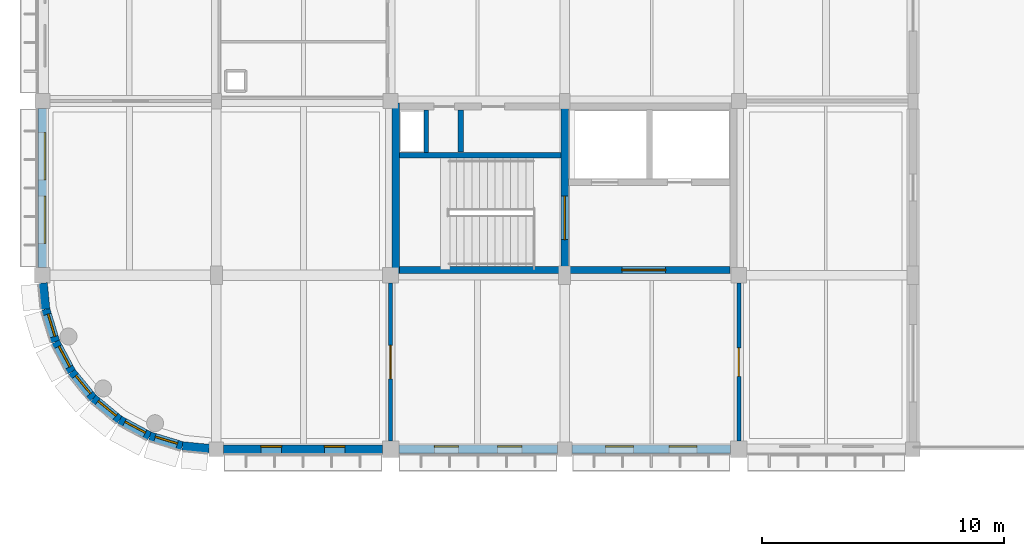
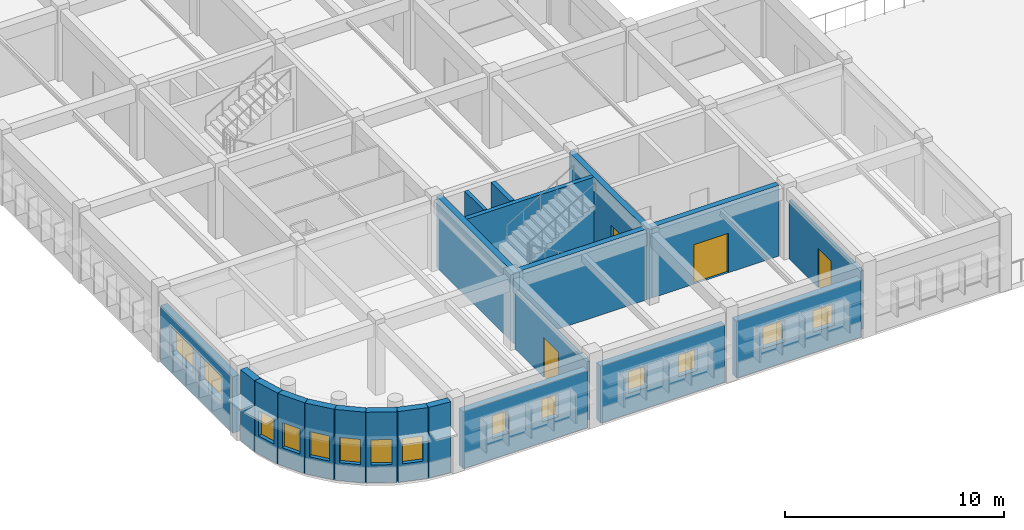
# One storey, part 80 of 103: 21 walls, 14 windows, 4 doors, 18 openings.
"""IFC4 building model written with IfcOpenShell, lengths in metres."""

from ifc_helpers import new_model, si_unit, direction, frame, frame_2d, origin, place, context, subcontext, project, spatial, rectangle, extrude, material, layer, layer_set, type_object, element, fill, save


model = new_model("IFC4")

# Units and contexts
model_context = context("Model", 3, precision=1e-05, world=origin(), true_north=direction((0.0, 1.0)))
body_context = subcontext(model_context, "Body", "Model", "MODEL_VIEW")
ifc_project = project(units=[si_unit("LENGTHUNIT", "METRE"), si_unit("AREAUNIT", "SQUARE_METRE"), si_unit("VOLUMEUNIT", "CUBIC_METRE"), si_unit("PLANEANGLEUNIT", "RADIAN"), si_unit("MASSUNIT", "GRAM", prefix="KILO")], contexts=[model_context])

# Site, building, storey
site_placement = place(None, origin())
site = spatial("IfcSite", under=ifc_project, at=site_placement, CompositionType="ELEMENT")
building_placement = place(site_placement, origin())
building = spatial("IfcBuilding", under=site, at=building_placement, Name="Thalmaran Polytechnic", CompositionType="ELEMENT")
storey_placement = place(building_placement, frame((0.0, 0.0, 14.39990234375)))
storey = spatial("IfcBuildingStorey", under=building, at=storey_placement, Name="L03", CompositionType="ELEMENT", Elevation=14.39990234375)

# Wall
ifc_material_1 = material(Name="Precast concrete C40/50", Category="concrete")
ifc_layer_1 = layer(ifc_material_1, 0.360107421875, Name="Precast concrete C40/50")
ifc_layer_set_1 = layer_set([ifc_layer_1], Name="Precast concrete C40/50")
wall_type_1 = type_object("IfcWallType", Name="WL-EW01", PredefinedType="STANDARD", material=ifc_layer_set_1)
wall_1_placement = place(storey_placement, frame((0.138427734375, 5.79541015625, 0.0), z_axis=(0.0, 0.0, 1.0), x_axis=(-0.098213027533, 0.995165414, 0.0)))
element("IfcWall", 1, at=wall_1_placement, inside=storey, type_object=wall_type_1, Name="Exterior Precast Facade Wall L03-029", PredefinedType="STANDARD", context=body_context, shape_type="SweptSolid", body=[
    extrude(rectangle(XDim=1.08642578125, YDim=0.360107421875, at=frame_2d((0.543212890625, 0.0))), origin(), (0.0, 0.0, 1.0), 3.940185546875),
])

# Wall, openings, windows
wall_2_placement = place(storey_placement, frame((0.0, 7.52490234375, 0.0), z_axis=(0.0, 0.0, 1.0), x_axis=(0.0, 1.0, 0.0)))
wall_2 = element("IfcWall", 2, at=wall_2_placement, inside=storey, type_object=wall_type_1, Name="Exterior Precast Facade Wall L03-030", PredefinedType="STANDARD", context=body_context, shape_type="SweptSolid", body=[
    extrude(rectangle(XDim=6.565185546875, YDim=0.360107421875, at=frame_2d((3.28271484375, 0.0))), origin(), (0.0, 0.0, 1.0), 3.135009765625),
])
opening_1_placement = place(wall_2_placement, frame((0.994384765625, 0.0, 1.14990234375)))
opening_1 = element("IfcOpeningElement", 3, at=opening_1_placement, cuts=wall_2, Name="Opening VW07", PredefinedType="OPENING", context=body_context, shape_type="SweptSolid", body=[
    extrude(rectangle(XDim=1.949951171875, YDim=1.39990234375, at=frame_2d((0.97509765625, 0.699951171875))), frame((0.0, 0.18994140625, 0.0), z_axis=(0.0, -1.0, 0.0), x_axis=(1.0, 0.0, 0.0)), (0.0, 0.0, 1.0), 0.380126953125),
])
opening_2_placement = place(wall_2_placement, frame((3.62060546875, 0.0, 1.14990234375)))
opening_2 = element("IfcOpeningElement", 4, at=opening_2_placement, cuts=wall_2, Name="Opening VW07", PredefinedType="OPENING", context=body_context, shape_type="SweptSolid", body=[
    extrude(rectangle(XDim=1.949951171875, YDim=1.39990234375, at=frame_2d((0.97509765625, 0.699951171875))), frame((0.0, 0.18994140625, 0.0), z_axis=(0.0, -1.0, 0.0), x_axis=(1.0, 0.0, 0.0)), (0.0, 0.0, 1.0), 0.380126953125),
])
ifc_material_2 = material(Name="Thermally broken aluminium and double low-E glass", Category="aluminium")
window_type_1 = type_object("IfcWindowType", Name="WN-VZ07", PartitioningType="SINGLE_PANEL", PredefinedType="WINDOW", material=ifc_material_2)
window_1_placement = place(opening_1_placement, origin())
window_1 = element("IfcWindow", 5, at=window_1_placement, inside=storey, type_object=window_type_1, Name="Deep-Set Solar-Screened Window W-0420", OverallHeight=1.39990234375, OverallWidth=1.949951171875, PartitioningType="SINGLE_PANEL", PredefinedType="WINDOW", context=body_context, shape_type="SweptSolid", body=[
    extrude(rectangle(XDim=1.949951171875, YDim=1.39990234375, at=frame_2d((0.97509765625, 0.699951171875))), frame((0.0, -0.080078125, 0.0), z_axis=(0.0, -1.0, 0.0), x_axis=(1.0, 0.0, 0.0)), (0.0, 0.0, 1.0), 0.06005859375),
])
fill(opening_1, window_1)
window_2_placement = place(opening_2_placement, origin())
window_2 = element("IfcWindow", 6, at=window_2_placement, inside=storey, type_object=window_type_1, Name="Deep-Set Solar-Screened Window W-0421", OverallHeight=1.39990234375, OverallWidth=1.949951171875, PartitioningType="SINGLE_PANEL", PredefinedType="WINDOW", context=body_context, shape_type="SweptSolid", body=[
    extrude(rectangle(XDim=1.949951171875, YDim=1.39990234375, at=frame_2d((0.97509765625, 0.699951171875))), frame((0.0, -0.080078125, 0.0), z_axis=(0.0, -1.0, 0.0), x_axis=(1.0, 0.0, 0.0)), (0.0, 0.0, 1.0), 0.06005859375),
])
fill(opening_2, window_2)

wall_3_placement = place(storey_placement, frame((28.4599609375, 0.0, 0.0), z_axis=(0.0, 0.0, 1.0), x_axis=(-1.0, 0.0, 0.0)))
wall_3 = element("IfcWall", 7, at=wall_3_placement, inside=storey, type_object=wall_type_1, Name="Exterior Precast Facade Wall L03-105", PredefinedType="STANDARD", context=body_context, shape_type="SweptSolid", body=[
    extrude(rectangle(XDim=6.56005859375, YDim=0.360107421875, at=frame_2d((3.280029296875, 0.0))), origin(), (0.0, 0.0, 1.0), 3.18505859375),
])
opening_3_placement = place(wall_3_placement, frame((1.39306640625, 0.0, 1.14990234375)))
opening_3 = element("IfcOpeningElement", 8, at=opening_3_placement, cuts=wall_3, Name="Opening VW12", PredefinedType="OPENING", context=body_context, shape_type="SweptSolid", body=[
    extrude(rectangle(XDim=1.14990234375, YDim=1.199951171875, at=frame_2d((0.574951171875, 0.60009765625))), frame((0.0, 0.18994140625, 0.0), z_axis=(0.0, -1.0, 0.0), x_axis=(1.0, 0.0, 0.0)), (0.0, 0.0, 1.0), 0.380126953125),
])
opening_4_placement = place(wall_3_placement, frame((4.01708984375, 0.0, 1.14990234375)))
opening_4 = element("IfcOpeningElement", 9, at=opening_4_placement, cuts=wall_3, Name="Opening VW12", PredefinedType="OPENING", context=body_context, shape_type="SweptSolid", body=[
    extrude(rectangle(XDim=1.14990234375, YDim=1.199951171875, at=frame_2d((0.574951171875, 0.60009765625))), frame((0.0, 0.18994140625, 0.0), z_axis=(0.0, -1.0, 0.0), x_axis=(1.0, 0.0, 0.0)), (0.0, 0.0, 1.0), 0.380126953125),
])
window_type_2 = type_object("IfcWindowType", Name="WN-VZ12", PartitioningType="SINGLE_PANEL", PredefinedType="WINDOW", material=ifc_material_2)
window_3_placement = place(opening_3_placement, origin())
window_3 = element("IfcWindow", 10, at=window_3_placement, inside=storey, type_object=window_type_2, Name="Deep-Set Solar-Screened Window W-0519", OverallHeight=1.199951171875, OverallWidth=1.14990234375, PartitioningType="SINGLE_PANEL", PredefinedType="WINDOW", context=body_context, shape_type="SweptSolid", body=[
    extrude(rectangle(XDim=1.14990234375, YDim=1.199951171875, at=frame_2d((0.574951171875, 0.60009765625))), frame((0.0, -0.080078125, 0.0), z_axis=(0.0, -1.0, 0.0), x_axis=(1.0, 0.0, 0.0)), (0.0, 0.0, 1.0), 0.06005859375),
])
fill(opening_3, window_3)
window_4_placement = place(opening_4_placement, origin())
window_4 = element("IfcWindow", 11, at=window_4_placement, inside=storey, type_object=window_type_2, Name="Deep-Set Solar-Screened Window W-0520", OverallHeight=1.199951171875, OverallWidth=1.14990234375, PartitioningType="SINGLE_PANEL", PredefinedType="WINDOW", context=body_context, shape_type="SweptSolid", body=[
    extrude(rectangle(XDim=1.14990234375, YDim=1.199951171875, at=frame_2d((0.574951171875, 0.60009765625))), frame((0.0, -0.080078125, 0.0), z_axis=(0.0, -1.0, 0.0), x_axis=(1.0, 0.0, 0.0)), (0.0, 0.0, 1.0), 0.06005859375),
])
fill(opening_4, window_4)

wall_4_placement = place(storey_placement, frame((21.300048828125, 0.0, 0.0), z_axis=(0.0, 0.0, 1.0), x_axis=(-1.0, 0.0, 0.0)))
wall_4 = element("IfcWall", 12, at=wall_4_placement, inside=storey, type_object=wall_type_1, Name="Exterior Precast Facade Wall L03-106", PredefinedType="STANDARD", context=body_context, shape_type="SweptSolid", body=[
    extrude(rectangle(XDim=6.56005859375, YDim=0.360107421875, at=frame_2d((3.280029296875, 0.0))), origin(), (0.0, 0.0, 1.0), 3.18505859375),
])
opening_5_placement = place(wall_4_placement, frame((1.468017578125, 0.0, 1.14990234375)))
opening_5 = element("IfcOpeningElement", 13, at=opening_5_placement, cuts=wall_4, Name="Opening VW13", PredefinedType="OPENING", context=body_context, shape_type="SweptSolid", body=[
    extrude(rectangle(XDim=1.0, YDim=1.199951171875, at=frame_2d((0.5, 0.60009765625))), frame((0.0, 0.18994140625, 0.0), z_axis=(0.0, -1.0, 0.0), x_axis=(1.0, 0.0, 0.0)), (0.0, 0.0, 1.0), 0.380126953125),
])
opening_6_placement = place(wall_4_placement, frame((4.092041015625, 0.0, 1.14990234375)))
opening_6 = element("IfcOpeningElement", 14, at=opening_6_placement, cuts=wall_4, Name="Opening VW13", PredefinedType="OPENING", context=body_context, shape_type="SweptSolid", body=[
    extrude(rectangle(XDim=1.0, YDim=1.199951171875, at=frame_2d((0.5, 0.60009765625))), frame((0.0, 0.18994140625, 0.0), z_axis=(0.0, -1.0, 0.0), x_axis=(1.0, 0.0, 0.0)), (0.0, 0.0, 1.0), 0.380126953125),
])
window_type_3 = type_object("IfcWindowType", Name="WN-VZ13", PartitioningType="SINGLE_PANEL", PredefinedType="WINDOW", material=ifc_material_2)
window_5_placement = place(opening_5_placement, origin())
window_5 = element("IfcWindow", 15, at=window_5_placement, inside=storey, type_object=window_type_3, Name="Deep-Set Solar-Screened Window W-0521", OverallHeight=1.199951171875, OverallWidth=1.0, PartitioningType="SINGLE_PANEL", PredefinedType="WINDOW", context=body_context, shape_type="SweptSolid", body=[
    extrude(rectangle(XDim=1.0, YDim=1.199951171875, at=frame_2d((0.5, 0.60009765625))), frame((0.0, -0.080078125, 0.0), z_axis=(0.0, -1.0, 0.0), x_axis=(1.0, 0.0, 0.0)), (0.0, 0.0, 1.0), 0.06005859375),
])
fill(opening_5, window_5)
window_6_placement = place(opening_6_placement, origin())
window_6 = element("IfcWindow", 16, at=window_6_placement, inside=storey, type_object=window_type_3, Name="Deep-Set Solar-Screened Window W-0522", OverallHeight=1.199951171875, OverallWidth=1.0, PartitioningType="SINGLE_PANEL", PredefinedType="WINDOW", context=body_context, shape_type="SweptSolid", body=[
    extrude(rectangle(XDim=1.0, YDim=1.199951171875, at=frame_2d((0.5, 0.60009765625))), frame((0.0, -0.080078125, 0.0), z_axis=(0.0, -1.0, 0.0), x_axis=(1.0, 0.0, 0.0)), (0.0, 0.0, 1.0), 0.06005859375),
])
fill(opening_6, window_6)

wall_5_placement = place(storey_placement, frame((14.06005859375, 0.0, 0.0), z_axis=(0.0, 0.0, 1.0), x_axis=(-1.0, 0.0, 0.0)))
wall_5 = element("IfcWall", 17, at=wall_5_placement, inside=storey, type_object=wall_type_1, Name="Exterior Precast Facade Wall L03-107", PredefinedType="STANDARD", context=body_context, shape_type="SweptSolid", body=[
    extrude(rectangle(XDim=6.56005859375, YDim=0.360107421875, at=frame_2d((3.280029296875, 0.0))), origin(), (0.0, 0.0, 1.0), 3.18505859375),
])
opening_7_placement = place(wall_5_placement, frame((1.54296875, 0.0, 1.14990234375)))
opening_7 = element("IfcOpeningElement", 18, at=opening_7_placement, cuts=wall_5, Name="Opening VW14", PredefinedType="OPENING", context=body_context, shape_type="SweptSolid", body=[
    extrude(rectangle(XDim=0.85009765625, YDim=1.25, at=frame_2d((0.425048828125, 0.625))), frame((0.0, 0.18994140625, 0.0), z_axis=(0.0, -1.0, 0.0), x_axis=(1.0, 0.0, 0.0)), (0.0, 0.0, 1.0), 0.380126953125),
])
opening_8_placement = place(wall_5_placement, frame((4.1669921875, 0.0, 1.14990234375)))
opening_8 = element("IfcOpeningElement", 19, at=opening_8_placement, cuts=wall_5, Name="Opening VW14", PredefinedType="OPENING", context=body_context, shape_type="SweptSolid", body=[
    extrude(rectangle(XDim=0.85009765625, YDim=1.25, at=frame_2d((0.425048828125, 0.625))), frame((0.0, 0.18994140625, 0.0), z_axis=(0.0, -1.0, 0.0), x_axis=(1.0, 0.0, 0.0)), (0.0, 0.0, 1.0), 0.380126953125),
])
window_type_4 = type_object("IfcWindowType", Name="WN-VZ14", PartitioningType="SINGLE_PANEL", PredefinedType="WINDOW", material=ifc_material_2)
window_7_placement = place(opening_7_placement, origin())
window_7 = element("IfcWindow", 20, at=window_7_placement, inside=storey, type_object=window_type_4, Name="Deep-Set Solar-Screened Window W-0523", OverallHeight=1.25, OverallWidth=0.85009765625, PartitioningType="SINGLE_PANEL", PredefinedType="WINDOW", context=body_context, shape_type="SweptSolid", body=[
    extrude(rectangle(XDim=0.85009765625, YDim=1.25, at=frame_2d((0.425048828125, 0.625))), frame((0.0, -0.080078125, 0.0), z_axis=(0.0, -1.0, 0.0), x_axis=(1.0, 0.0, 0.0)), (0.0, 0.0, 1.0), 0.06005859375),
])
fill(opening_7, window_7)
window_8_placement = place(opening_8_placement, origin())
window_8 = element("IfcWindow", 21, at=window_8_placement, inside=storey, type_object=window_type_4, Name="Deep-Set Solar-Screened Window W-0524", OverallHeight=1.25, OverallWidth=0.85009765625, PartitioningType="SINGLE_PANEL", PredefinedType="WINDOW", context=body_context, shape_type="SweptSolid", body=[
    extrude(rectangle(XDim=0.85009765625, YDim=1.25, at=frame_2d((0.425048828125, 0.625))), frame((0.0, -0.080078125, 0.0), z_axis=(0.0, -1.0, 0.0), x_axis=(1.0, 0.0, 0.0)), (0.0, 0.0, 1.0), 0.06005859375),
])
fill(opening_8, window_8)

# Wall
wall_6_placement = place(storey_placement, frame((6.9013671875, 0.029296875, 0.0), z_axis=(0.0, 0.0, 1.0), x_axis=(-0.995166839509, 0.098198582177, 0.0)))
element("IfcWall", 22, at=wall_6_placement, inside=storey, type_object=wall_type_1, Name="Exterior Precast Facade Wall L03-108", PredefinedType="STANDARD", context=body_context, shape_type="SweptSolid", body=[
    extrude(rectangle(XDim=1.111328125, YDim=0.360107421875, at=frame_2d((0.5556640625, 0.0))), origin(), (0.0, 0.0, 1.0), 3.940185546875),
])

# Wall, opening, window
wall_7_placement = place(storey_placement, frame((5.79541015625, 0.138427734375, 0.0), z_axis=(0.0, 0.0, 1.0), x_axis=(-0.95696037757, 0.290218599957, 0.0)))
wall_7 = element("IfcWall", 23, at=wall_7_placement, inside=storey, type_object=wall_type_1, Name="Exterior Precast Facade Wall L03-109", PredefinedType="STANDARD", context=body_context, shape_type="SweptSolid", body=[
    extrude(rectangle(XDim=1.41162109375, YDim=0.360107421875, at=frame_2d((0.705810546875, 0.0))), origin(), (0.0, 0.0, 1.0), 3.940185546875),
])
opening_9_placement = place(wall_7_placement, frame((0.2255859375, 0.0, 1.0)))
opening_9 = element("IfcOpeningElement", 24, at=opening_9_placement, cuts=wall_7, Name="Opening CR01", PredefinedType="OPENING", context=body_context, shape_type="SweptSolid", body=[
    extrude(rectangle(XDim=0.9599609375, YDim=1.39990234375, at=frame_2d((0.47998046875, 0.699951171875))), frame((0.0, 0.18994140625, 0.0), z_axis=(0.0, -1.0, 0.0), x_axis=(1.0, 0.0, 0.0)), (0.0, 0.0, 1.0), 0.380126953125),
])
window_type_5 = type_object("IfcWindowType", Name="WN-CR01", PartitioningType="SINGLE_PANEL", PredefinedType="WINDOW", material=ifc_material_2)
window_9_placement = place(opening_9_placement, origin())
window_9 = element("IfcWindow", 25, at=window_9_placement, inside=storey, type_object=window_type_5, Name="Curved Prow Ribbon Window W-0525", OverallHeight=1.39990234375, OverallWidth=0.9599609375, PartitioningType="SINGLE_PANEL", PredefinedType="WINDOW", context=body_context, shape_type="SweptSolid", body=[
    extrude(rectangle(XDim=0.9599609375, YDim=1.39990234375, at=frame_2d((0.47998046875, 0.699951171875))), frame((0.0, -0.010009765625, 0.0), z_axis=(0.0, -1.0, 0.0), x_axis=(1.0, 0.0, 0.0)), (0.0, 0.0, 1.0), 0.06005859375),
])
fill(opening_9, window_9)

wall_8_placement = place(storey_placement, frame((4.444580078125, 0.548095703125, 0.0), z_axis=(0.0, 0.0, 1.0), x_axis=(-0.881916788861, 0.471405109778, 0.0)))
wall_8 = element("IfcWall", 26, at=wall_8_placement, inside=storey, type_object=wall_type_1, Name="Exterior Precast Facade Wall L03-110", PredefinedType="STANDARD", context=body_context, shape_type="SweptSolid", body=[
    extrude(rectangle(XDim=1.411376953125, YDim=0.360107421875, at=frame_2d((0.70556640625, 0.0))), origin(), (0.0, 0.0, 1.0), 3.940185546875),
])
opening_10_placement = place(wall_8_placement, frame((0.2255859375, 0.0, 1.0)))
opening_10 = element("IfcOpeningElement", 27, at=opening_10_placement, cuts=wall_8, Name="Opening CR01", PredefinedType="OPENING", context=body_context, shape_type="SweptSolid", body=[
    extrude(rectangle(XDim=0.9599609375, YDim=1.39990234375, at=frame_2d((0.47998046875, 0.699951171875))), frame((0.0, 0.18994140625, 0.0), z_axis=(0.0, -1.0, 0.0), x_axis=(1.0, 0.0, 0.0)), (0.0, 0.0, 1.0), 0.380126953125),
])
window_10_placement = place(opening_10_placement, origin())
window_10 = element("IfcWindow", 28, at=window_10_placement, inside=storey, type_object=window_type_5, Name="Curved Prow Ribbon Window W-0526", OverallHeight=1.39990234375, OverallWidth=0.9599609375, PartitioningType="SINGLE_PANEL", PredefinedType="WINDOW", context=body_context, shape_type="SweptSolid", body=[
    extrude(rectangle(XDim=0.9599609375, YDim=1.39990234375, at=frame_2d((0.47998046875, 0.699951171875))), frame((0.0, -0.010009765625, 0.0), z_axis=(0.0, -1.0, 0.0), x_axis=(1.0, 0.0, 0.0)), (0.0, 0.0, 1.0), 0.06005859375),
])
fill(opening_10, window_10)

wall_9_placement = place(storey_placement, frame((3.199951171875, 1.21337890625, 0.0), z_axis=(0.0, 0.0, 1.0), x_axis=(-0.772977670605, 0.634433227965, 0.0)))
wall_9 = element("IfcWall", 29, at=wall_9_placement, inside=storey, type_object=wall_type_1, Name="Exterior Precast Facade Wall L03-111", PredefinedType="STANDARD", context=body_context, shape_type="SweptSolid", body=[
    extrude(rectangle(XDim=1.41162109375, YDim=0.360107421875, at=frame_2d((0.705810546875, 0.0))), origin(), (0.0, 0.0, 1.0), 3.940185546875),
])
opening_11_placement = place(wall_9_placement, frame((0.2255859375, 0.0, 1.0)))
opening_11 = element("IfcOpeningElement", 30, at=opening_11_placement, cuts=wall_9, Name="Opening CR01", PredefinedType="OPENING", context=body_context, shape_type="SweptSolid", body=[
    extrude(rectangle(XDim=0.9599609375, YDim=1.39990234375, at=frame_2d((0.47998046875, 0.699951171875))), frame((0.0, 0.18994140625, 0.0), z_axis=(0.0, -1.0, 0.0), x_axis=(1.0, 0.0, 0.0)), (0.0, 0.0, 1.0), 0.380126953125),
])
window_11_placement = place(opening_11_placement, origin())
window_11 = element("IfcWindow", 31, at=window_11_placement, inside=storey, type_object=window_type_5, Name="Curved Prow Ribbon Window W-0527", OverallHeight=1.39990234375, OverallWidth=0.9599609375, PartitioningType="SINGLE_PANEL", PredefinedType="WINDOW", context=body_context, shape_type="SweptSolid", body=[
    extrude(rectangle(XDim=0.9599609375, YDim=1.39990234375, at=frame_2d((0.47998046875, 0.699951171875))), frame((0.0, -0.010009765625, 0.0), z_axis=(0.0, -1.0, 0.0), x_axis=(1.0, 0.0, 0.0)), (0.0, 0.0, 1.0), 0.06005859375),
])
fill(opening_11, window_11)

wall_10_placement = place(storey_placement, frame((2.10888671875, 2.10888671875, 0.0), z_axis=(0.0, 0.0, 1.0), x_axis=(-0.634433227965, 0.772977670605, 0.0)))
wall_10 = element("IfcWall", 32, at=wall_10_placement, inside=storey, type_object=wall_type_1, Name="Exterior Precast Facade Wall L03-112", PredefinedType="STANDARD", context=body_context, shape_type="SweptSolid", body=[
    extrude(rectangle(XDim=1.41162109375, YDim=0.360107421875, at=frame_2d((0.705810546875, 0.0))), origin(), (0.0, 0.0, 1.0), 3.940185546875),
])
opening_12_placement = place(wall_10_placement, frame((0.2255859375, 0.0, 1.0)))
opening_12 = element("IfcOpeningElement", 33, at=opening_12_placement, cuts=wall_10, Name="Opening CR01", PredefinedType="OPENING", context=body_context, shape_type="SweptSolid", body=[
    extrude(rectangle(XDim=0.9599609375, YDim=1.39990234375, at=frame_2d((0.47998046875, 0.699951171875))), frame((0.0, 0.18994140625, 0.0), z_axis=(0.0, -1.0, 0.0), x_axis=(1.0, 0.0, 0.0)), (0.0, 0.0, 1.0), 0.380126953125),
])
window_12_placement = place(opening_12_placement, origin())
window_12 = element("IfcWindow", 34, at=window_12_placement, inside=storey, type_object=window_type_5, Name="Curved Prow Ribbon Window W-0528", OverallHeight=1.39990234375, OverallWidth=0.9599609375, PartitioningType="SINGLE_PANEL", PredefinedType="WINDOW", context=body_context, shape_type="SweptSolid", body=[
    extrude(rectangle(XDim=0.9599609375, YDim=1.39990234375, at=frame_2d((0.47998046875, 0.699951171875))), frame((0.0, -0.010009765625, 0.0), z_axis=(0.0, -1.0, 0.0), x_axis=(1.0, 0.0, 0.0)), (0.0, 0.0, 1.0), 0.06005859375),
])
fill(opening_12, window_12)

wall_11_placement = place(storey_placement, frame((1.21337890625, 3.199951171875, 0.0), z_axis=(0.0, 0.0, 1.0), x_axis=(-0.471405109778, 0.881916788861, 0.0)))
wall_11 = element("IfcWall", 35, at=wall_11_placement, inside=storey, type_object=wall_type_1, Name="Exterior Precast Facade Wall L03-113", PredefinedType="STANDARD", context=body_context, shape_type="SweptSolid", body=[
    extrude(rectangle(XDim=1.411376953125, YDim=0.360107421875, at=frame_2d((0.70556640625, 0.0))), origin(), (0.0, 0.0, 1.0), 3.940185546875),
])
opening_13_placement = place(wall_11_placement, frame((0.2255859375, 0.0, 1.0)))
opening_13 = element("IfcOpeningElement", 36, at=opening_13_placement, cuts=wall_11, Name="Opening CR01", PredefinedType="OPENING", context=body_context, shape_type="SweptSolid", body=[
    extrude(rectangle(XDim=0.9599609375, YDim=1.39990234375, at=frame_2d((0.47998046875, 0.699951171875))), frame((0.0, 0.18994140625, 0.0), z_axis=(0.0, -1.0, 0.0), x_axis=(1.0, 0.0, 0.0)), (0.0, 0.0, 1.0), 0.380126953125),
])
window_13_placement = place(opening_13_placement, origin())
window_13 = element("IfcWindow", 37, at=window_13_placement, inside=storey, type_object=window_type_5, Name="Curved Prow Ribbon Window W-0529", OverallHeight=1.39990234375, OverallWidth=0.9599609375, PartitioningType="SINGLE_PANEL", PredefinedType="WINDOW", context=body_context, shape_type="SweptSolid", body=[
    extrude(rectangle(XDim=0.9599609375, YDim=1.39990234375, at=frame_2d((0.47998046875, 0.699951171875))), frame((0.0, -0.010009765625, 0.0), z_axis=(0.0, -1.0, 0.0), x_axis=(1.0, 0.0, 0.0)), (0.0, 0.0, 1.0), 0.06005859375),
])
fill(opening_13, window_13)

wall_12_placement = place(storey_placement, frame((0.548095703125, 4.444580078125, 0.0), z_axis=(0.0, 0.0, 1.0), x_axis=(-0.290218599957, 0.95696037757, 0.0)))
wall_12 = element("IfcWall", 38, at=wall_12_placement, inside=storey, type_object=wall_type_1, Name="Exterior Precast Facade Wall L03-114", PredefinedType="STANDARD", context=body_context, shape_type="SweptSolid", body=[
    extrude(rectangle(XDim=1.41162109375, YDim=0.360107421875, at=frame_2d((0.705810546875, 0.0))), origin(), (0.0, 0.0, 1.0), 3.940185546875),
])
opening_14_placement = place(wall_12_placement, frame((0.2255859375, 0.0, 1.0)))
opening_14 = element("IfcOpeningElement", 39, at=opening_14_placement, cuts=wall_12, Name="Opening CR01", PredefinedType="OPENING", context=body_context, shape_type="SweptSolid", body=[
    extrude(rectangle(XDim=0.9599609375, YDim=1.39990234375, at=frame_2d((0.47998046875, 0.699951171875))), frame((0.0, 0.18994140625, 0.0), z_axis=(0.0, -1.0, 0.0), x_axis=(1.0, 0.0, 0.0)), (0.0, 0.0, 1.0), 0.380126953125),
])
window_14_placement = place(opening_14_placement, origin())
window_14 = element("IfcWindow", 40, at=window_14_placement, inside=storey, type_object=window_type_5, Name="Curved Prow Ribbon Window W-0530", OverallHeight=1.39990234375, OverallWidth=0.9599609375, PartitioningType="SINGLE_PANEL", PredefinedType="WINDOW", context=body_context, shape_type="SweptSolid", body=[
    extrude(rectangle(XDim=0.9599609375, YDim=1.39990234375, at=frame_2d((0.47998046875, 0.699951171875))), frame((0.0, -0.010009765625, 0.0), z_axis=(0.0, -1.0, 0.0), x_axis=(1.0, 0.0, 0.0)), (0.0, 0.0, 1.0), 0.06005859375),
])
fill(opening_14, window_14)

# Walls
ifc_material_3 = material(Name="Autoclaved aerated masonry", Category="masonry")
ifc_layer_2 = layer(ifc_material_3, 0.22998046875, Name="Autoclaved aerated masonry")
ifc_layer_set_2 = layer_set([ifc_layer_2], Name="Autoclaved aerated masonry")
wall_type_2 = type_object("IfcWallType", Name="WL-IW02", PredefinedType="PARTITIONING", material=ifc_layer_set_2)
wall_13_placement = place(storey_placement, frame((17.300048828125, 12.300048828125, 0.0), z_axis=(0.0, 0.0, 1.0), x_axis=(0.0, 1.0, 0.0)))
element("IfcWall", 41, at=wall_13_placement, inside=storey, type_object=wall_type_2, Name="Core C1 Riser Partition L03", PredefinedType="PARTITIONING", context=body_context, shape_type="SweptSolid", body=[
    extrude(rectangle(XDim=1.739990234375, YDim=0.22998046875, at=frame_2d((0.8701171875, 0.0))), origin(), (0.0, 0.0, 1.0), 3.940185546875),
])
ifc_layer_3 = layer(ifc_material_3, 0.179931640625, Name="Autoclaved aerated masonry")
ifc_layer_set_3 = layer_set([ifc_layer_3], Name="Autoclaved aerated masonry")
wall_type_3 = type_object("IfcWallType", Name="WL-IW04", PredefinedType="PARTITIONING", material=ifc_layer_set_3)
wall_14_placement = place(storey_placement, frame((15.8798828125, 12.280029296875, 0.0), z_axis=(0.0, 0.0, 1.0), x_axis=(0.0, 1.0, 0.0)))
element("IfcWall", 42, at=wall_14_placement, inside=storey, type_object=wall_type_3, Name="Core C1 Riser Shaft Enclosure Wall L03", PredefinedType="PARTITIONING", context=body_context, shape_type="SweptSolid", body=[
    extrude(rectangle(XDim=1.760009765625, YDim=0.179931640625, at=frame_2d((0.8798828125, 0.0))), origin(), (0.0, 0.0, 1.0), 3.940185546875),
])

# Wall, opening, door
ifc_material_4 = material(Name="Gypsum acoustic partition")
ifc_layer_4 = layer(ifc_material_4, 0.159912109375, Name="Gypsum acoustic partition")
ifc_layer_set_4 = layer_set([ifc_layer_4], Name="Gypsum acoustic partition")
wall_type_4 = type_object("IfcWallType", Name="WL-IW05", PredefinedType="PARTITIONING", material=ifc_layer_set_4)
wall_15_placement = place(storey_placement, frame((14.39990234375, 0.344970703125, 0.0), z_axis=(0.0, 0.0, 1.0), x_axis=(0.0, 1.0, 0.0)))
wall_15 = element("IfcWall", 43, at=wall_15_placement, inside=storey, type_object=wall_type_4, Name="Interior Partition IW05 L03-011", PredefinedType="PARTITIONING", context=body_context, shape_type="SweptSolid", body=[
    extrude(rectangle(XDim=6.525146484375, YDim=0.159912109375, at=frame_2d((3.2626953125, 0.0))), origin(), (0.0, 0.0, 1.0), 3.25),
])
opening_15_placement = place(wall_15_placement, frame((2.572509765625, 0.0, 0.0)))
opening_15 = element("IfcOpeningElement", 44, at=opening_15_placement, cuts=wall_15, Name="Opening D-L03-001-1-01-1", PredefinedType="OPENING", context=body_context, shape_type="SweptSolid", body=[
    extrude(rectangle(XDim=1.3798828125, YDim=2.219970703125, at=frame_2d((0.68994140625, 1.10986328125))), frame((0.0, 0.08984375, 0.0), z_axis=(0.0, -1.0, 0.0), x_axis=(1.0, 0.0, 0.0)), (0.0, 0.0, 1.0), 0.179931640625),
])
ifc_material_5 = material(Name="Acoustic hardwood and vision glass", Category="wood")
door_type_1 = type_object("IfcDoorType", Name="DR-ZD04", OperationType="NOTDEFINED", PredefinedType="DOOR", material=ifc_material_5)
door_1_placement = place(opening_15_placement, origin())
door_1 = element("IfcDoor", 45, at=door_1_placement, inside=storey, type_object=door_type_1, Name="Seminar Room L03-01 Door 1", OperationType="SINGLE_SWING_LEFT", OverallHeight=2.219970703125, OverallWidth=1.3798828125, PredefinedType="DOOR", context=body_context, shape_type="SweptSolid", body=[
    extrude(rectangle(XDim=1.3798828125, YDim=2.219970703125, at=frame_2d((0.68994140625, 1.10986328125))), frame((0.0, 0.02490234375, 0.0), z_axis=(0.0, -1.0, 0.0), x_axis=(1.0, 0.0, 0.0)), (0.0, 0.0, 1.0), 0.050048828125),
])
fill(opening_15, door_1)

wall_16_placement = place(storey_placement, frame((28.800048828125, 0.344970703125, 0.0), z_axis=(0.0, 0.0, 1.0), x_axis=(0.0, 1.0, 0.0)))
wall_16 = element("IfcWall", 46, at=wall_16_placement, inside=storey, type_object=wall_type_4, Name="Interior Partition IW05 L03-030", PredefinedType="PARTITIONING", context=body_context, shape_type="SweptSolid", body=[
    extrude(rectangle(XDim=6.525146484375, YDim=0.159912109375, at=frame_2d((3.2626953125, 0.0))), origin(), (0.0, 0.0, 1.0), 3.25),
])
opening_16_placement = place(wall_16_placement, frame((2.672607421875, 0.0, 0.0)))
opening_16 = element("IfcOpeningElement", 47, at=opening_16_placement, cuts=wall_16, Name="Opening D-L03-002-1-02-1", PredefinedType="OPENING", context=body_context, shape_type="SweptSolid", body=[
    extrude(rectangle(XDim=1.179931640625, YDim=2.179931640625, at=frame_2d((0.58984375, 1.08984375))), frame((0.0, 0.08984375, 0.0), z_axis=(0.0, -1.0, 0.0), x_axis=(1.0, 0.0, 0.0)), (0.0, 0.0, 1.0), 0.179931640625),
])
ifc_material_6 = material(Name="Acoustic hardwood", Category="wood")
door_type_2 = type_object("IfcDoorType", Name="DR-ZD05", OperationType="NOTDEFINED", PredefinedType="DOOR", material=ifc_material_6)
door_2_placement = place(opening_16_placement, origin())
door_2 = element("IfcDoor", 48, at=door_2_placement, inside=storey, type_object=door_type_2, Name="Thermodynamics Laboratory L03-02 Door 1", OperationType="SINGLE_SWING_RIGHT", OverallHeight=2.179931640625, OverallWidth=1.179931640625, PredefinedType="DOOR", context=body_context, shape_type="SweptSolid", body=[
    extrude(rectangle(XDim=1.179931640625, YDim=2.179931640625, at=frame_2d((0.58984375, 1.08984375))), frame((0.0, 0.02490234375, 0.0), z_axis=(0.0, -1.0, 0.0), x_axis=(1.0, 0.0, 0.0)), (0.0, 0.0, 1.0), 0.050048828125),
])
fill(opening_16, door_2)

# Walls
ifc_material_7 = material(Name="Concrete C50/60", Category="concrete")
ifc_layer_5 = layer(ifc_material_7, 0.300048828125, Name="Concrete C50/60")
ifc_layer_set_5 = layer_set([ifc_layer_5], Name="Concrete C50/60")
wall_type_5 = type_object("IfcWallType", Name="WL-SW04", PredefinedType="SHEAR", material=ifc_layer_set_5)
wall_17_placement = place(storey_placement, frame((14.77001953125, 7.419921875, 0.0), z_axis=(0.0, 0.0, 1.0), x_axis=(1.0, 0.0, 0.0)))
element("IfcWall", 49, at=wall_17_placement, inside=storey, type_object=wall_type_5, Name="Core C1 South Shear Wall L03", PredefinedType="SHEAR", context=body_context, shape_type="SweptSolid", body=[
    extrude(rectangle(XDim=6.679931640625, YDim=0.300048828125, at=frame_2d((3.33984375, 0.0))), origin(), (0.0, 0.0, 1.0), 3.940185546875),
])
wall_18_placement = place(storey_placement, frame((14.6201171875, 14.330078125, 0.0), z_axis=(0.0, 0.0, 1.0), x_axis=(0.0, -1.0, 0.0)))
element("IfcWall", 50, at=wall_18_placement, inside=storey, type_object=wall_type_5, Name="Core C1 West Shear Wall L03", PredefinedType="SHEAR", context=body_context, shape_type="SweptSolid", body=[
    extrude(rectangle(XDim=7.06005859375, YDim=0.300048828125, at=frame_2d((3.530029296875, 0.0))), origin(), (0.0, 0.0, 1.0), 3.940185546875),
])
wall_19_placement = place(storey_placement, frame((14.77001953125, 12.159912109375, 0.0), z_axis=(0.0, 0.0, 1.0), x_axis=(1.0, 0.0, 0.0)))
element("IfcWall", 51, at=wall_19_placement, inside=storey, type_object=wall_type_5, Name="Core C1 Stair Partition L03", PredefinedType="SHEAR", context=body_context, shape_type="SweptSolid", body=[
    extrude(rectangle(XDim=6.679931640625, YDim=0.219970703125, at=frame_2d((3.33984375, 0.0))), origin(), (0.0, 0.0, 1.0), 3.940185546875),
])

# Wall, opening, door
wall_20_placement = place(storey_placement, frame((21.60009765625, 7.27001953125, 0.0), z_axis=(0.0, 0.0, 1.0), x_axis=(0.0, 1.0, 0.0)))
wall_20 = element("IfcWall", 52, at=wall_20_placement, inside=storey, type_object=wall_type_5, Name="Core C1 Stair-Lobby Dividing Shear Wall L03", PredefinedType="SHEAR", context=body_context, shape_type="SweptSolid", body=[
    extrude(rectangle(XDim=7.06005859375, YDim=0.300048828125, at=frame_2d((3.530029296875, 0.0))), origin(), (0.0, 0.0, 1.0), 3.940185546875),
])
opening_17_placement = place(wall_20_placement, frame((1.39990234375, 0.0, 0.0)))
opening_17 = element("IfcOpeningElement", 53, at=opening_17_placement, cuts=wall_20, Name="Opening SD-ST1-L03", PredefinedType="OPENING", context=body_context, shape_type="SweptSolid", body=[
    extrude(rectangle(XDim=1.800048828125, YDim=2.199951171875, at=frame_2d((0.89990234375, 1.10009765625))), frame((0.0, 0.159912109375, 0.0), z_axis=(0.0, -1.0, 0.0), x_axis=(1.0, 0.0, 0.0)), (0.0, 0.0, 1.0), 0.320068359375),
])
ifc_material_8 = material(Name="Powder-coated fire-rated steel", Category="steel")
door_type_3 = type_object("IfcDoorType", Name="DR-FD03", OperationType="NOTDEFINED", PredefinedType="DOOR", material=ifc_material_8)
door_3_placement = place(opening_17_placement, origin())
door_3 = element("IfcDoor", 54, at=door_3_placement, inside=storey, type_object=door_type_3, Name="Firefighting Lobby to Exit Stair Door ST1 L03", OperationType="SINGLE_SWING_RIGHT", OverallHeight=2.199951171875, OverallWidth=1.800048828125, PredefinedType="DOOR", context=body_context, shape_type="SweptSolid", body=[
    extrude(rectangle(XDim=1.800048828125, YDim=2.199951171875, at=frame_2d((0.89990234375, 1.10009765625))), frame((0.0, 0.02490234375, 0.0), z_axis=(0.0, -1.0, 0.0), x_axis=(1.0, 0.0, 0.0)), (0.0, 0.0, 1.0), 0.050048828125),
])
fill(opening_17, door_3)

wall_21_placement = place(storey_placement, frame((21.75, 7.419921875, 0.0), z_axis=(0.0, 0.0, 1.0), x_axis=(1.0, 0.0, 0.0)))
wall_21 = element("IfcWall", 55, at=wall_21_placement, inside=storey, type_object=wall_type_5, Name="Core C1 Lobby South Wall L03", PredefinedType="SHEAR", context=body_context, shape_type="SweptSolid", body=[
    extrude(rectangle(XDim=6.679931640625, YDim=0.300048828125, at=frame_2d((3.33984375, 0.0))), origin(), (0.0, 0.0, 1.0), 3.940185546875),
])
opening_18_placement = place(wall_21_placement, frame((2.219970703125, 0.0, 0.0)))
opening_18 = element("IfcOpeningElement", 56, at=opening_18_placement, cuts=wall_21, Name="Opening FD-C1-L03", PredefinedType="OPENING", context=body_context, shape_type="SweptSolid", body=[
    extrude(rectangle(XDim=1.800048828125, YDim=2.199951171875, at=frame_2d((0.89990234375, 1.10009765625))), frame((0.0, 0.159912109375, 0.0), z_axis=(0.0, -1.0, 0.0), x_axis=(1.0, 0.0, 0.0)), (0.0, 0.0, 1.0), 0.320068359375),
])
door_type_4 = type_object("IfcDoorType", Name="DR-FD01", OperationType="NOTDEFINED", PredefinedType="DOOR", material=ifc_material_8)
door_4_placement = place(opening_18_placement, origin())
door_4 = element("IfcDoor", 57, at=door_4_placement, inside=storey, type_object=door_type_4, Name="Firefighting Lift Lobby Entrance Door C1 L03", OperationType="DOUBLE_DOOR_SINGLE_SWING", OverallHeight=2.199951171875, OverallWidth=1.800048828125, PredefinedType="DOOR", context=body_context, shape_type="SweptSolid", body=[
    extrude(rectangle(XDim=1.800048828125, YDim=2.199951171875, at=frame_2d((0.89990234375, 1.10009765625))), frame((0.0, 0.02490234375, 0.0), z_axis=(0.0, -1.0, 0.0), x_axis=(1.0, 0.0, 0.0)), (0.0, 0.0, 1.0), 0.050048828125),
])
fill(opening_18, door_4)

save(model, "model.ifc")
